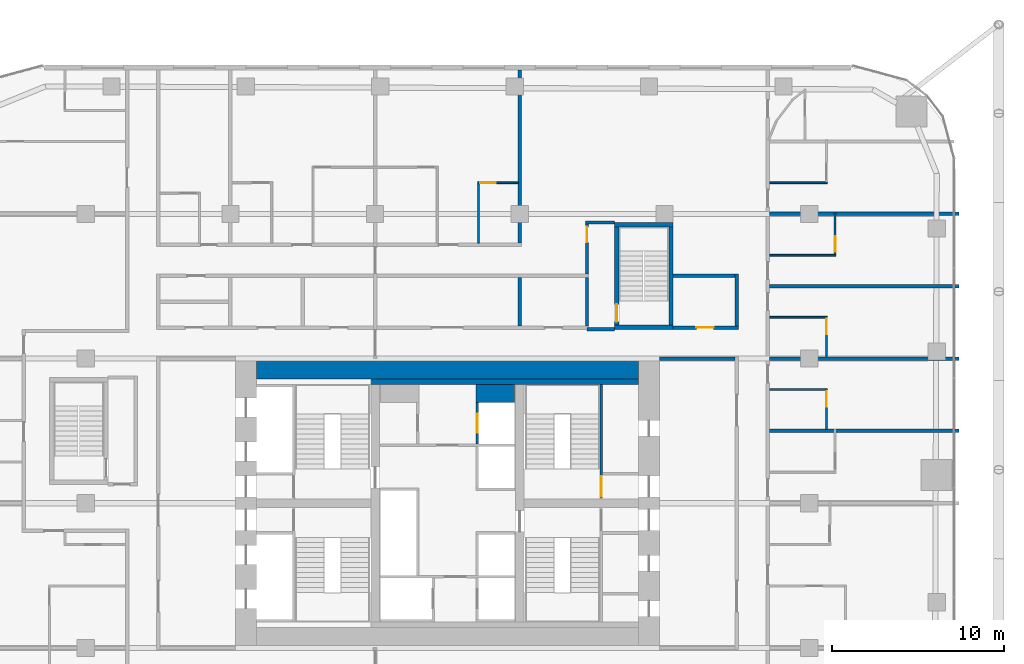
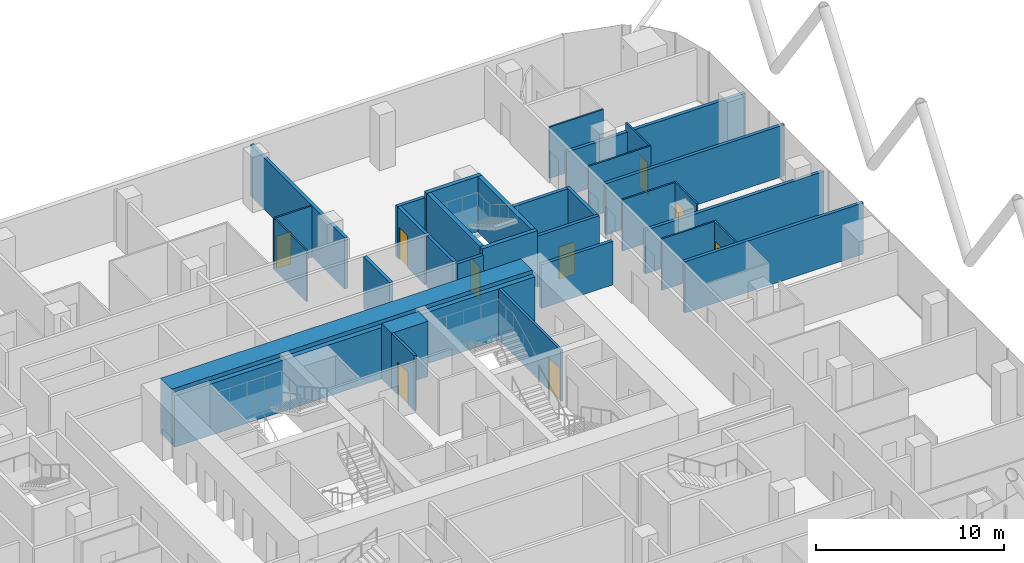
# One storey, part 30 of 34: 32 walls, 9 doors, 9 openings.
"""IFC4 building model written with IfcOpenShell, lengths in metres."""

from ifc_helpers import new_model, si_unit, direction, frame, frame_2d, origin, place, context, subcontext, project, spatial, rectangle, extrude, material, layer, layer_set, type_object, element, fill, save


model = new_model("IFC4")

# Units and contexts
model_context = context("Model", 3, precision=1e-05, world=origin(), true_north=direction((0.0, 1.0)))
body_context = subcontext(model_context, "Body", "Model", "MODEL_VIEW")
ifc_project = project(units=[si_unit("LENGTHUNIT", "METRE"), si_unit("AREAUNIT", "SQUARE_METRE"), si_unit("VOLUMEUNIT", "CUBIC_METRE"), si_unit("PLANEANGLEUNIT", "RADIAN"), si_unit("MASSUNIT", "GRAM", prefix="KILO")], contexts=[model_context])

# Site, building, storey
site_placement = place(None, origin())
site = spatial("IfcSite", under=ifc_project, at=site_placement, CompositionType="ELEMENT")
building_placement = place(site_placement, origin())
building = spatial("IfcBuilding", under=site, at=building_placement, Name="Marenta Gate Hotel Tower", CompositionType="ELEMENT")
storey_placement = place(building_placement, frame((0.0, 0.0, 47.300048828125)))
storey = spatial("IfcBuildingStorey", under=building, at=storey_placement, Name="L09", CompositionType="ELEMENT", Elevation=47.300048828125)

# Walls
ifc_material_1 = material(Name="Concrete blockwork", Category="masonry")
ifc_layer_1 = layer(ifc_material_1, 0.199951171875)
ifc_layer_set_1 = layer_set([ifc_layer_1], Name="Concrete blockwork")
wall_type_1 = type_object("IfcWallType", Name="Core boundary wall 200 REI 180", PredefinedType="PARTITIONING", material=ifc_layer_set_1)
wall_1_placement = place(storey_placement, frame((12.300048828125, 16.800048828125, 0.0), z_axis=(0.0, 0.0, 1.0), x_axis=(1.0, 0.0, 0.0)))
element("IfcWall", 1, at=wall_1_placement, inside=storey, type_object=wall_type_1, Name="L09-CP-EW-EN", PredefinedType="PARTITIONING", context=body_context, shape_type="SweptSolid", body=[
    extrude(rectangle(XDim=4.39990234375, YDim=0.199951171875, at=frame_2d((2.199951171875, 0.0))), origin(), (0.0, 0.0, 1.0), 2.83984375),
])
ifc_material_2 = material(Name="Concrete C40", Category="concrete")
ifc_layer_2 = layer(ifc_material_2, 0.300048828125)
ifc_layer_set_2 = layer_set([ifc_layer_2], Name="Concrete C40")
wall_type_2 = type_object("IfcWallType", Name="Core lining wall 300 REI 180", PredefinedType="PARTITIONING", material=ifc_layer_set_2)
wall_2_placement = place(storey_placement, frame((-11.10009765625, 15.449951171875, 0.0), z_axis=(0.0, 0.0, 1.0), x_axis=(1.0, 0.0, 0.0)))
element("IfcWall", 2, at=wall_2_placement, inside=storey, type_object=wall_type_2, Name="L09-CP-LN-N", PredefinedType="PARTITIONING", context=body_context, shape_type="SweptSolid", body=[
    extrude(rectangle(XDim=22.2001953125, YDim=0.300048828125, at=frame_2d((11.10009765625, 0.0))), origin(), (0.0, 0.0, 1.0), 3.33984375),
])
ifc_material_3 = material(Name="Concrete C40", Category="concrete")
ifc_layer_3 = layer(ifc_material_3, 1.050048828125)
ifc_layer_set_3 = layer_set([ifc_layer_3], Name="Concrete C40")
wall_type_3 = type_object("IfcWallType", Name="Core shaft wall 1050 REI 180", PredefinedType="SHEAR", material=ifc_layer_set_3)
wall_3_placement = place(storey_placement, frame((1.64990234375, 14.77490234375, 0.0), z_axis=(0.0, 0.0, 1.0), x_axis=(1.0, 0.0, 0.0)))
element("IfcWall", 3, at=wall_3_placement, inside=storey, type_object=wall_type_3, Name="L09-SHF-CE-N-top", PredefinedType="SHEAR", context=body_context, shape_type="SweptSolid", body=[
    extrude(rectangle(XDim=2.25, YDim=1.050048828125, at=frame_2d((1.125, 0.0))), origin(), (0.0, 0.0, 1.0), 3.599853515625),
])

# Wall, opening, door
ifc_material_4 = material(Name="Concrete C40", Category="concrete")
ifc_layer_4 = layer(ifc_material_4, 0.14990234375)
ifc_layer_set_4 = layer_set([ifc_layer_4], Name="Concrete C40")
wall_type_4 = type_object("IfcWallType", Name="Core shaft wall 150 REI 180", PredefinedType="SHEAR", material=ifc_layer_set_4)
wall_4_placement = place(storey_placement, frame((1.72509765625, 11.85009765625, 0.0), z_axis=(0.0, 0.0, 1.0), x_axis=(0.0, 1.0, 0.0)))
wall_4 = element("IfcWall", 4, at=wall_4_placement, inside=storey, type_object=wall_type_4, Name="L09-SHF-CE-N-front2", PredefinedType="SHEAR", context=body_context, shape_type="SweptSolid", body=[
    extrude(rectangle(XDim=2.39990234375, YDim=0.14990234375, at=frame_2d((1.199951171875, 0.0))), origin(), (0.0, 0.0, 1.0), 3.599853515625),
])
opening_1_placement = place(wall_4_placement, frame((0.64990234375, 0.0, 0.0)))
opening_1 = element("IfcOpeningElement", 5, at=opening_1_placement, cuts=wall_4, Name="Opening LD-FF2", PredefinedType="OPENING", context=body_context, shape_type="SweptSolid", body=[
    extrude(rectangle(XDim=1.10009765625, YDim=2.10009765625, at=frame_2d((0.550048828125, 1.050048828125))), frame((0.0, 0.074951171875, 0.0), z_axis=(0.0, -1.0, 0.0), x_axis=(1.0, 0.0, 0.0)), (0.0, 0.0, 1.0), 0.14990234375),
])
ifc_material_5 = material(Name="Steel", Category="steel")
door_type_1 = type_object("IfcDoorType", Name="Core lift landing door 1100x2100 E 60", OperationType="SLIDING_TO_LEFT", PredefinedType="DOOR", material=ifc_material_5)
door_1_placement = place(opening_1_placement, origin())
door_1 = element("IfcDoor", 6, at=door_1_placement, inside=storey, type_object=door_type_1, Name="LD-FF2", OperationType="SLIDING_TO_LEFT", OverallHeight=2.10009765625, OverallWidth=1.10009765625, PredefinedType="DOOR", context=body_context, shape_type="SweptSolid", body=[
    extrude(rectangle(XDim=1.10009765625, YDim=2.10009765625, at=frame_2d((0.550048828125, 1.050048828125))), frame((0.0, 0.02490234375, 0.0), z_axis=(0.0, -1.0, 0.0), x_axis=(1.0, 0.0, 0.0)), (0.0, 0.0, 1.0), 0.050048828125),
])
fill(opening_1, door_1)

ifc_material_6 = material(Name="Concrete C40", Category="concrete")
ifc_layer_5 = layer(ifc_material_6, 0.14990234375)
ifc_layer_set_5 = layer_set([ifc_layer_5], Name="Concrete C40")
wall_type_5 = type_object("IfcWallType", Name="Core stair enclosure wall 150 REI 180", PredefinedType="SHEAR", material=ifc_layer_set_5)
wall_5_placement = place(storey_placement, frame((8.925048828125, 8.699951171875, 0.0), z_axis=(0.0, 0.0, 1.0), x_axis=(0.0, 1.0, 0.0)))
wall_5 = element("IfcWall", 7, at=wall_5_placement, inside=storey, type_object=wall_type_5, Name="L09-SHF-SW-EN-3", PredefinedType="SHEAR", context=body_context, shape_type="SweptSolid", body=[
    extrude(rectangle(XDim=6.60009765625, YDim=0.14990234375, at=frame_2d((3.300048828125, 0.0))), origin(), (0.0, 0.0, 1.0), 3.33984375),
])
opening_2_placement = place(wall_5_placement, frame((0.074951171875, 0.0, 0.0)))
opening_2 = element("IfcOpeningElement", 8, at=opening_2_placement, cuts=wall_5, Name="Opening SD-EN", PredefinedType="OPENING", context=body_context, shape_type="SweptSolid", body=[
    extrude(rectangle(XDim=1.199951171875, YDim=2.10009765625, at=frame_2d((0.60009765625, 1.050048828125))), frame((0.0, 0.074951171875, 0.0), z_axis=(0.0, -1.0, 0.0), x_axis=(1.0, 0.0, 0.0)), (0.0, 0.0, 1.0), 0.14990234375),
])
ifc_material_7 = material(Name="Steel", Category="steel")
door_type_2 = type_object("IfcDoorType", Name="Core stair door 1200x2100 FD60", OperationType="SINGLE_SWING_LEFT", PredefinedType="DOOR", material=ifc_material_7)
door_2_placement = place(opening_2_placement, origin())
door_2 = element("IfcDoor", 9, at=door_2_placement, inside=storey, type_object=door_type_2, Name="SD-EN", OperationType="SINGLE_SWING_LEFT", OverallHeight=2.10009765625, OverallWidth=1.199951171875, PredefinedType="DOOR", context=body_context, shape_type="SweptSolid", body=[
    extrude(rectangle(XDim=1.199951171875, YDim=2.10009765625, at=frame_2d((0.60009765625, 1.050048828125))), frame((0.0, 0.02490234375, 0.0), z_axis=(0.0, -1.0, 0.0), x_axis=(1.0, 0.0, 0.0)), (0.0, 0.0, 1.0), 0.050048828125),
])
fill(opening_2, door_2)

# Walls
ifc_material_8 = material(Name="Concrete C80", Category="concrete")
ifc_layer_6 = layer(ifc_material_8, 1.199951171875)
ifc_layer_set_6 = layer_set([ifc_layer_6], Name="Concrete C80")
wall_type_6 = type_object("IfcWallType", Name="Core wall 1200 C80", PredefinedType="SHEAR", material=ifc_layer_set_6)
wall_6_placement = place(storey_placement, frame((-11.10009765625, 16.199951171875, 0.0), z_axis=(0.0, 0.0, 1.0), x_axis=(1.0, 0.0, 0.0)))
element("IfcWall", 10, at=wall_6_placement, inside=storey, type_object=wall_type_6, Name="L09-CORE-N", PredefinedType="SHEAR", context=body_context, shape_type="SweptSolid", body=[
    extrude(rectangle(XDim=22.2001953125, YDim=1.199951171875, at=frame_2d((11.10009765625, 0.0))), origin(), (0.0, 0.0, 1.0), 3.599853515625),
])
ifc_material_9 = material(Name="Concrete C40", Category="concrete")
ifc_layer_7 = layer(ifc_material_9, 0.25)
ifc_layer_set_7 = layer_set([ifc_layer_7], Name="Concrete C40")
wall_type_7 = type_object("IfcWallType", Name="Remote stair enclosure wall 250 REI 180", PredefinedType="SHEAR", material=ifc_layer_set_7)
for number, where, z_axis, x_axis, name in (
    (11, (9.699951171875, 18.625, 0.099853515625), (0.0, 0.0, 1.0), (1.0, 0.0, 0.0), "L09-RS-Z1-4-W1"),
    (12, (9.699951171875, 24.574951171875, 0.099853515625), (0.0, 0.0, 1.0), (1.0, 0.0, 0.0), "L09-RS-Z1-4-W2"),
):
    element("IfcWall", number, at=place(storey_placement, frame(where, z_axis=z_axis, x_axis=x_axis)), inside=storey, type_object=wall_type_7, Name=name, PredefinedType="SHEAR", context=body_context, shape_type="SweptSolid", body=[
        extrude(rectangle(XDim=3.400146484375, YDim=0.25, at=frame_2d((1.7001953125, 0.0))), origin(), (0.0, 0.0, 1.0), 3.60009765625),
    ])

# Wall, opening, door
wall_7_placement = place(storey_placement, frame((9.824951171875, 18.75, 0.099853515625), z_axis=(0.0, 0.0, 1.0), x_axis=(0.0, 1.0, 0.0)))
wall_7 = element("IfcWall", 13, at=wall_7_placement, inside=storey, type_object=wall_type_7, Name="L09-RS-Z1-4-W3", PredefinedType="SHEAR", context=body_context, shape_type="SweptSolid", body=[
    extrude(rectangle(XDim=5.699951171875, YDim=0.25, at=frame_2d((2.85009765625, 0.0))), origin(), (0.0, 0.0, 1.0), 3.60009765625),
])
opening_3_placement = place(wall_7_placement, frame((0.199951171875, 0.0, 0.0)))
opening_3 = element("IfcOpeningElement", 14, at=opening_3_placement, cuts=wall_7, Name="Opening VD", PredefinedType="OPENING", context=body_context, shape_type="SweptSolid", body=[
    extrude(rectangle(XDim=1.0, YDim=2.10009765625, at=frame_2d((0.5, 1.050048828125))), frame((0.0, 0.125, 0.0), z_axis=(0.0, -1.0, 0.0), x_axis=(1.0, 0.0, 0.0)), (0.0, 0.0, 1.0), 0.25),
])
ifc_material_10 = material(Name="Steel", Category="steel")
door_type_3 = type_object("IfcDoorType", Name="Stair vestibule door 1000x2100 FD60", OperationType="SINGLE_SWING_LEFT", PredefinedType="DOOR", material=ifc_material_10)
door_3_placement = place(opening_3_placement, origin())
door_3 = element("IfcDoor", 15, at=door_3_placement, inside=storey, type_object=door_type_3, Name="VD", OperationType="SINGLE_SWING_LEFT", OverallHeight=2.10009765625, OverallWidth=1.0, PredefinedType="DOOR", context=body_context, shape_type="SweptSolid", body=[
    extrude(rectangle(XDim=1.0, YDim=2.10009765625, at=frame_2d((0.5, 1.050048828125))), frame((0.0, 0.02490234375, 0.0), z_axis=(0.0, -1.0, 0.0), x_axis=(1.0, 0.0, 0.0)), (0.0, 0.0, 1.0), 0.050048828125),
])
fill(opening_3, door_3)

# Walls
wall_8_placement = place(storey_placement, frame((12.97509765625, 18.75, 0.099853515625), z_axis=(0.0, 0.0, 1.0), x_axis=(0.0, 1.0, 0.0)))
element("IfcWall", 16, at=wall_8_placement, inside=storey, type_object=wall_type_7, Name="L09-RS-Z1-4-W4", PredefinedType="SHEAR", context=body_context, shape_type="SweptSolid", body=[
    extrude(rectangle(XDim=5.699951171875, YDim=0.25, at=frame_2d((2.85009765625, 0.0))), origin(), (0.0, 0.0, 1.0), 3.60009765625),
])
ifc_material_11 = material(Name="Gypsum board on steel stud", Category="steel")
ifc_layer_8 = layer(ifc_material_11, 0.199951171875)
ifc_layer_set_8 = layer_set([ifc_layer_8], Name="Gypsum board on steel stud")
wall_type_8 = type_object("IfcWallType", Name="Room corridor wall 200 EI 60", PredefinedType="PARTITIONING", material=ifc_layer_set_8)
wall_9_placement = place(storey_placement, frame((16.800048828125, 18.699951171875, 0.0), z_axis=(0.0, 0.0, 1.0), x_axis=(0.0, 1.0, 0.0)))
element("IfcWall", 17, at=wall_9_placement, inside=storey, type_object=wall_type_8, Name="L09-PTN-W014", PredefinedType="PARTITIONING", context=body_context, shape_type="SweptSolid", body=[
    extrude(rectangle(XDim=3.0, YDim=0.199951171875, at=frame_2d((1.5, 0.0))), origin(), (0.0, 0.0, 1.0), 3.33984375),
])
wall_10_placement = place(storey_placement, frame((4.199951171875, 23.5, 0.0), z_axis=(0.0, 0.0, 1.0), x_axis=(0.0, 1.0, 0.0)))
element("IfcWall", 18, at=wall_10_placement, inside=storey, type_object=wall_type_8, Name="L09-PTN-W050", PredefinedType="PARTITIONING", context=body_context, shape_type="SweptSolid", body=[
    extrude(rectangle(XDim=10.0400390625, YDim=0.199951171875, at=frame_2d((5.02001953125, 0.0))), origin(), (0.0, 0.0, 1.0), 3.33984375),
])

# Wall, opening, door
wall_11_placement = place(storey_placement, frame((13.10009765625, 18.60009765625, 0.0), z_axis=(0.0, 0.0, 1.0), x_axis=(1.0, 0.0, 0.0)))
wall_11 = element("IfcWall", 19, at=wall_11_placement, inside=storey, type_object=wall_type_8, Name="L09-PTN-W111", PredefinedType="PARTITIONING", context=body_context, shape_type="SweptSolid", body=[
    extrude(rectangle(XDim=3.7998046875, YDim=0.199951171875, at=frame_2d((1.89990234375, 0.0))), origin(), (0.0, 0.0, 1.0), 3.33984375),
])
opening_4_placement = place(wall_11_placement, frame((1.35009765625, 0.0, 0.0)))
opening_4 = element("IfcOpeningElement", 20, at=opening_4_placement, cuts=wall_11, Name="Opening G03-03", PredefinedType="OPENING", context=body_context, shape_type="SweptSolid", body=[
    extrude(rectangle(XDim=1.0, YDim=2.10009765625, at=frame_2d((0.5, 1.050048828125))), frame((0.0, 0.10009765625, 0.0), z_axis=(0.0, -1.0, 0.0), x_axis=(1.0, 0.0, 0.0)), (0.0, 0.0, 1.0), 0.199951171875),
])
ifc_material_12 = material(Name="Timber door leaf", Category="wood")
door_type_4 = type_object("IfcDoorType", Name="Room amenity door 1000x2100 EI 30", OperationType="NOTDEFINED", PredefinedType="DOOR", material=ifc_material_12)
door_4_placement = place(opening_4_placement, origin())
door_4 = element("IfcDoor", 21, at=door_4_placement, inside=storey, type_object=door_type_4, Name="L09-PD-D003", OperationType="SINGLE_SWING_LEFT", OverallHeight=2.10009765625, OverallWidth=1.0, PredefinedType="DOOR", context=body_context, shape_type="SweptSolid", body=[
    extrude(rectangle(XDim=1.0, YDim=2.10009765625, at=frame_2d((0.5, 1.050048828125))), frame((0.0, 0.02490234375, 0.0), z_axis=(0.0, -1.0, 0.0), x_axis=(1.0, 0.0, 0.0)), (0.0, 0.0, 1.0), 0.050048828125),
])
fill(opening_4, door_4)

# Wall
wall_12_placement = place(storey_placement, frame((13.10009765625, 21.60009765625, 0.0), z_axis=(0.0, 0.0, 1.0), x_axis=(1.0, 0.0, 0.0)))
element("IfcWall", 22, at=wall_12_placement, inside=storey, type_object=wall_type_8, Name="L09-PTN-W116", PredefinedType="PARTITIONING", context=body_context, shape_type="SweptSolid", body=[
    extrude(rectangle(XDim=3.599853515625, YDim=0.199951171875, at=frame_2d((1.7998046875, 0.0))), origin(), (0.0, 0.0, 1.0), 3.33984375),
])

# Wall, opening, door
ifc_material_13 = material(Name="Concrete blockwork", Category="masonry")
ifc_layer_9 = layer(ifc_material_13, 0.199951171875)
ifc_layer_set_9 = layer_set([ifc_layer_9], Name="Concrete blockwork")
wall_type_9 = type_object("IfcWallType", Name="Room corridor wall 200 REI 180", PredefinedType="PARTITIONING", material=ifc_layer_set_9)
wall_13_placement = place(storey_placement, frame((8.10009765625, 21.699951171875, 0.0), z_axis=(0.0, 0.0, 1.0), x_axis=(0.0, 1.0, 0.0)))
wall_13 = element("IfcWall", 23, at=wall_13_placement, inside=storey, type_object=wall_type_9, Name="L09-PTN-W038", PredefinedType="PARTITIONING", context=body_context, shape_type="SweptSolid", body=[
    extrude(rectangle(XDim=2.900146484375, YDim=0.199951171875, at=frame_2d((1.4501953125, 0.0))), origin(), (0.0, 0.0, 1.0), 3.33984375),
])
opening_5_placement = place(wall_13_placement, frame((1.85009765625, 0.0, 0.0)))
opening_5 = element("IfcOpeningElement", 24, at=opening_5_placement, cuts=wall_13, Name="Opening G03-61", PredefinedType="OPENING", context=body_context, shape_type="SweptSolid", body=[
    extrude(rectangle(XDim=0.89990234375, YDim=2.10009765625, at=frame_2d((0.449951171875, 1.050048828125))), frame((0.0, 0.10009765625, 0.0), z_axis=(0.0, -1.0, 0.0), x_axis=(1.0, 0.0, 0.0)), (0.0, 0.0, 1.0), 0.199951171875),
])
ifc_material_14 = material(Name="Hollow steel door set", Category="steel")
door_type_5 = type_object("IfcDoorType", Name="Stair vestibule door 900x2100 EI 60", OperationType="NOTDEFINED", PredefinedType="DOOR", material=ifc_material_14)
door_5_placement = place(opening_5_placement, origin())
door_5 = element("IfcDoor", 25, at=door_5_placement, inside=storey, type_object=door_type_5, Name="L09-PD-D061", OperationType="SINGLE_SWING_LEFT", OverallHeight=2.10009765625, OverallWidth=0.89990234375, PredefinedType="DOOR", context=body_context, shape_type="SweptSolid", body=[
    extrude(rectangle(XDim=0.89990234375, YDim=2.10009765625, at=frame_2d((0.449951171875, 1.050048828125))), frame((0.0, 0.02490234375, 0.0), z_axis=(0.0, -1.0, 0.0), x_axis=(1.0, 0.0, 0.0)), (0.0, 0.0, 1.0), 0.050048828125),
])
fill(opening_5, door_5)

# Walls
wall_14_placement = place(storey_placement, frame((8.10009765625, 18.5, 0.0), z_axis=(0.0, 0.0, 1.0), x_axis=(1.0, 0.0, 0.0)))
element("IfcWall", 26, at=wall_14_placement, inside=storey, type_object=wall_type_9, Name="L09-PTN-W107", PredefinedType="PARTITIONING", context=body_context, shape_type="SweptSolid", body=[
    extrude(rectangle(XDim=1.599853515625, YDim=0.199951171875, at=frame_2d((0.7998046875, 0.0))), origin(), (0.0, 0.0, 1.0), 3.33984375),
])
wall_15_placement = place(storey_placement, frame((8.0, 24.699951171875, 0.0), z_axis=(0.0, 0.0, 1.0), x_axis=(1.0, 0.0, 0.0)))
element("IfcWall", 27, at=wall_15_placement, inside=storey, type_object=wall_type_9, Name="L09-PTN-W124", PredefinedType="PARTITIONING", context=body_context, shape_type="SweptSolid", body=[
    extrude(rectangle(XDim=1.699951171875, YDim=0.199951171875, at=frame_2d((0.85009765625, 0.0))), origin(), (0.0, 0.0, 1.0), 3.33984375),
])

# Wall, opening, door
ifc_material_15 = material(Name="Gypsum board on steel stud", Category="steel")
ifc_layer_10 = layer(ifc_material_15, 0.10009765625)
ifc_layer_set_10 = layer_set([ifc_layer_10], Name="Gypsum board on steel stud")
wall_type_10 = type_object("IfcWallType", Name="Room partition 100", PredefinedType="PARTITIONING", material=ifc_layer_set_10)
wall_16_placement = place(storey_placement, frame((22.5, 22.85009765625, 0.0), z_axis=(0.0, 0.0, 1.0), x_axis=(0.0, 1.0, 0.0)))
wall_16 = element("IfcWall", 28, at=wall_16_placement, inside=storey, type_object=wall_type_10, Name="L09-PTN-W003", PredefinedType="PARTITIONING", context=body_context, shape_type="SweptSolid", body=[
    extrude(rectangle(XDim=2.449951171875, YDim=0.10009765625, at=frame_2d((1.22509765625, 0.0))), origin(), (0.0, 0.0, 1.0), 3.33984375),
])
opening_6_placement = place(wall_16_placement, frame((0.14990234375, 0.0, 0.0)))
opening_6 = element("IfcOpeningElement", 29, at=opening_6_placement, cuts=wall_16, Name="Opening G03-23", PredefinedType="OPENING", context=body_context, shape_type="SweptSolid", body=[
    extrude(rectangle(XDim=0.89990234375, YDim=2.10009765625, at=frame_2d((0.449951171875, 1.050048828125))), frame((0.0, 0.050048828125, 0.0), z_axis=(0.0, -1.0, 0.0), x_axis=(1.0, 0.0, 0.0)), (0.0, 0.0, 1.0), 0.10009765625),
])
ifc_material_16 = material(Name="Timber door leaf", Category="wood")
door_type_6 = type_object("IfcDoorType", Name="Guest bathroom door 900x2100", OperationType="NOTDEFINED", PredefinedType="DOOR", material=ifc_material_16)
door_6_placement = place(opening_6_placement, origin())
door_6 = element("IfcDoor", 30, at=door_6_placement, inside=storey, type_object=door_type_6, Name="L09-PD-D023", OperationType="SINGLE_SWING_LEFT", OverallHeight=2.10009765625, OverallWidth=0.89990234375, PredefinedType="DOOR", context=body_context, shape_type="SweptSolid", body=[
    extrude(rectangle(XDim=0.89990234375, YDim=2.10009765625, at=frame_2d((0.449951171875, 1.050048828125))), frame((0.0, 0.02490234375, 0.0), z_axis=(0.0, -1.0, 0.0), x_axis=(1.0, 0.0, 0.0)), (0.0, 0.0, 1.0), 0.050048828125),
])
fill(opening_6, door_6)

wall_17_placement = place(storey_placement, frame((22.0, 12.699951171875, 0.0), z_axis=(0.0, 0.0, 1.0), x_axis=(0.0, 1.0, 0.0)))
wall_17 = element("IfcWall", 31, at=wall_17_placement, inside=storey, type_object=wall_type_10, Name="L09-PTN-W007", PredefinedType="PARTITIONING", context=body_context, shape_type="SweptSolid", body=[
    extrude(rectangle(XDim=2.35009765625, YDim=0.10009765625, at=frame_2d((1.175048828125, 0.0))), origin(), (0.0, 0.0, 1.0), 3.33984375),
])
opening_7_placement = place(wall_17_placement, frame((1.300048828125, 0.0, 0.0)))
opening_7 = element("IfcOpeningElement", 32, at=opening_7_placement, cuts=wall_17, Name="Opening G03-19", PredefinedType="OPENING", context=body_context, shape_type="SweptSolid", body=[
    extrude(rectangle(XDim=0.89990234375, YDim=2.10009765625, at=frame_2d((0.449951171875, 1.050048828125))), frame((0.0, 0.050048828125, 0.0), z_axis=(0.0, -1.0, 0.0), x_axis=(1.0, 0.0, 0.0)), (0.0, 0.0, 1.0), 0.10009765625),
])
door_7_placement = place(opening_7_placement, origin())
door_7 = element("IfcDoor", 33, at=door_7_placement, inside=storey, type_object=door_type_6, Name="L09-PD-D019", OperationType="SINGLE_SWING_RIGHT", OverallHeight=2.10009765625, OverallWidth=0.89990234375, PredefinedType="DOOR", context=body_context, shape_type="SweptSolid", body=[
    extrude(rectangle(XDim=0.89990234375, YDim=2.10009765625, at=frame_2d((0.449951171875, 1.050048828125))), frame((0.0, 0.02490234375, 0.0), z_axis=(0.0, -1.0, 0.0), x_axis=(1.0, 0.0, 0.0)), (0.0, 0.0, 1.0), 0.050048828125),
])
fill(opening_7, door_7)

wall_18_placement = place(storey_placement, frame((22.0, 16.89990234375, 0.0), z_axis=(0.0, 0.0, 1.0), x_axis=(0.0, 1.0, 0.0)))
wall_18 = element("IfcWall", 34, at=wall_18_placement, inside=storey, type_object=wall_type_10, Name="L09-PTN-W008", PredefinedType="PARTITIONING", context=body_context, shape_type="SweptSolid", body=[
    extrude(rectangle(XDim=2.35009765625, YDim=0.10009765625, at=frame_2d((1.175048828125, 0.0))), origin(), (0.0, 0.0, 1.0), 3.33984375),
])
opening_8_placement = place(wall_18_placement, frame((1.300048828125, 0.0, 0.0)))
opening_8 = element("IfcOpeningElement", 35, at=opening_8_placement, cuts=wall_18, Name="Opening G03-21", PredefinedType="OPENING", context=body_context, shape_type="SweptSolid", body=[
    extrude(rectangle(XDim=0.89990234375, YDim=2.10009765625, at=frame_2d((0.449951171875, 1.050048828125))), frame((0.0, 0.050048828125, 0.0), z_axis=(0.0, -1.0, 0.0), x_axis=(1.0, 0.0, 0.0)), (0.0, 0.0, 1.0), 0.10009765625),
])
door_8_placement = place(opening_8_placement, origin())
door_8 = element("IfcDoor", 36, at=door_8_placement, inside=storey, type_object=door_type_6, Name="L09-PD-D021", OperationType="SINGLE_SWING_RIGHT", OverallHeight=2.10009765625, OverallWidth=0.89990234375, PredefinedType="DOOR", context=body_context, shape_type="SweptSolid", body=[
    extrude(rectangle(XDim=0.89990234375, YDim=2.10009765625, at=frame_2d((0.449951171875, 1.050048828125))), frame((0.0, 0.02490234375, 0.0), z_axis=(0.0, -1.0, 0.0), x_axis=(1.0, 0.0, 0.0)), (0.0, 0.0, 1.0), 0.050048828125),
])
fill(opening_8, door_8)

# Walls
wall_19_placement = place(storey_placement, frame((1.800048828125, 23.5, 0.0), z_axis=(0.0, 0.0, 1.0), x_axis=(0.0, 1.0, 0.0)))
element("IfcWall", 37, at=wall_19_placement, inside=storey, type_object=wall_type_10, Name="L09-PTN-W056", PredefinedType="PARTITIONING", context=body_context, shape_type="SweptSolid", body=[
    extrude(rectangle(XDim=3.449951171875, YDim=0.10009765625, at=frame_2d((1.72509765625, 0.0))), origin(), (0.0, 0.0, 1.0), 3.33984375),
])
for number, where, z_axis, x_axis, name in (
    (38, (18.699951171875, 15.0, 0.0), (0.0, 0.0, 1.0), (1.0, 0.0, 0.0), "L09-PTN-W095"),
    (39, (18.699951171875, 19.199951171875, 0.0), (0.0, 0.0, 1.0), (1.0, 0.0, 0.0), "L09-PTN-W112"),
):
    element("IfcWall", number, at=place(storey_placement, frame(where, z_axis=z_axis, x_axis=x_axis)), inside=storey, type_object=wall_type_10, Name=name, PredefinedType="PARTITIONING", context=body_context, shape_type="SweptSolid", body=[
        extrude(rectangle(XDim=3.25, YDim=0.10009765625, at=frame_2d((1.625, 0.0))), origin(), (0.0, 0.0, 1.0), 3.33984375),
    ])
wall_20_placement = place(storey_placement, frame((18.699951171875, 22.800048828125, 0.0), z_axis=(0.0, 0.0, 1.0), x_axis=(1.0, 0.0, 0.0)))
element("IfcWall", 40, at=wall_20_placement, inside=storey, type_object=wall_type_10, Name="L09-PTN-W120", PredefinedType="PARTITIONING", context=body_context, shape_type="SweptSolid", body=[
    extrude(rectangle(XDim=3.85009765625, YDim=0.10009765625, at=frame_2d((1.925048828125, 0.0))), origin(), (0.0, 0.0, 1.0), 3.33984375),
])

# Wall, opening, door
wall_21_placement = place(storey_placement, frame((1.75, 27.0, 0.0), z_axis=(0.0, 0.0, 1.0), x_axis=(1.0, 0.0, 0.0)))
wall_21 = element("IfcWall", 41, at=wall_21_placement, inside=storey, type_object=wall_type_10, Name="L09-PTN-W129", PredefinedType="PARTITIONING", context=body_context, shape_type="SweptSolid", body=[
    extrude(rectangle(XDim=2.35009765625, YDim=0.10009765625, at=frame_2d((1.175048828125, 0.0))), origin(), (0.0, 0.0, 1.0), 3.33984375),
])
opening_9_placement = place(wall_21_placement, frame((0.14990234375, 0.0, 0.0)))
opening_9 = element("IfcOpeningElement", 42, at=opening_9_placement, cuts=wall_21, Name="Opening G03-35", PredefinedType="OPENING", context=body_context, shape_type="SweptSolid", body=[
    extrude(rectangle(XDim=0.89990234375, YDim=2.10009765625, at=frame_2d((0.449951171875, 1.050048828125))), frame((0.0, 0.050048828125, 0.0), z_axis=(0.0, -1.0, 0.0), x_axis=(1.0, 0.0, 0.0)), (0.0, 0.0, 1.0), 0.10009765625),
])
ifc_material_17 = material(Name="Timber door leaf", Category="wood")
door_type_7 = type_object("IfcDoorType", Name="Room inner door 900x2100", OperationType="NOTDEFINED", PredefinedType="DOOR", material=ifc_material_17)
door_9_placement = place(opening_9_placement, origin())
door_9 = element("IfcDoor", 43, at=door_9_placement, inside=storey, type_object=door_type_7, Name="L09-PD-D035", OperationType="SINGLE_SWING_RIGHT", OverallHeight=2.10009765625, OverallWidth=0.89990234375, PredefinedType="DOOR", context=body_context, shape_type="SweptSolid", body=[
    extrude(rectangle(XDim=0.89990234375, YDim=2.10009765625, at=frame_2d((0.449951171875, 1.050048828125))), frame((0.0, 0.02490234375, 0.0), z_axis=(0.0, -1.0, 0.0), x_axis=(1.0, 0.0, 0.0)), (0.0, 0.0, 1.0), 0.050048828125),
])
fill(opening_9, door_9)

# Walls
wall_22_placement = place(storey_placement, frame((18.699951171875, 27.0, 0.0), z_axis=(0.0, 0.0, 1.0), x_axis=(1.0, 0.0, 0.0)))
element("IfcWall", 44, at=wall_22_placement, inside=storey, type_object=wall_type_10, Name="L09-PTN-W130", PredefinedType="PARTITIONING", context=body_context, shape_type="SweptSolid", body=[
    extrude(rectangle(XDim=3.35009765625, YDim=0.10009765625, at=frame_2d((1.675048828125, 0.0))), origin(), (0.0, 0.0, 1.0), 3.33984375),
])
ifc_material_18 = material(Name="Gypsum board on steel stud", Category="steel")
ifc_layer_11 = layer(ifc_material_18, 0.199951171875)
ifc_layer_set_11 = layer_set([ifc_layer_11], Name="Gypsum board on steel stud")
wall_type_11 = type_object("IfcWallType", Name="Room party wall 200 EI 60", PredefinedType="PARTITIONING", material=ifc_layer_set_11)
wall_23_placement = place(storey_placement, frame((4.199951171875, 18.699951171875, 0.0), z_axis=(0.0, 0.0, 1.0), x_axis=(0.0, 1.0, 0.0)))
element("IfcWall", 45, at=wall_23_placement, inside=storey, type_object=wall_type_11, Name="L09-PTN-W049", PredefinedType="PARTITIONING", context=body_context, shape_type="SweptSolid", body=[
    extrude(rectangle(XDim=2.800048828125, YDim=0.199951171875, at=frame_2d((1.39990234375, 0.0))), origin(), (0.0, 0.0, 1.0), 3.33984375),
])
wall_24_placement = place(storey_placement, frame((18.699951171875, 12.60009765625, 0.0), z_axis=(0.0, 0.0, 1.0), x_axis=(1.0, 0.0, 0.0)))
element("IfcWall", 46, at=wall_24_placement, inside=storey, type_object=wall_type_11, Name="L09-PTN-W091", PredefinedType="PARTITIONING", context=body_context, shape_type="SweptSolid", body=[
    extrude(rectangle(XDim=11.0, YDim=0.199951171875, at=frame_2d((5.5, 0.0))), origin(), (0.0, 0.0, 1.0), 3.33984375),
])
wall_25_placement = place(storey_placement, frame((18.699951171875, 16.800048828125, 0.0), z_axis=(0.0, 0.0, 1.0), x_axis=(1.0, 0.0, 0.0)))
element("IfcWall", 47, at=wall_25_placement, inside=storey, type_object=wall_type_11, Name="L09-PTN-W104", PredefinedType="PARTITIONING", context=body_context, shape_type="SweptSolid", body=[
    extrude(rectangle(XDim=11.0, YDim=0.199951171875, at=frame_2d((5.5, 0.0))), origin(), (0.0, 0.0, 1.0), 2.83984375),
])
wall_26_placement = place(storey_placement, frame((18.699951171875, 21.0, 0.0), z_axis=(0.0, 0.0, 1.0), x_axis=(1.0, 0.0, 0.0)))
element("IfcWall", 48, at=wall_26_placement, inside=storey, type_object=wall_type_11, Name="L09-PTN-W114", PredefinedType="PARTITIONING", context=body_context, shape_type="SweptSolid", body=[
    extrude(rectangle(XDim=11.0, YDim=0.199951171875, at=frame_2d((5.5, 0.0))), origin(), (0.0, 0.0, 1.0), 3.33984375),
])
wall_27_placement = place(storey_placement, frame((18.699951171875, 25.199951171875, 0.0), z_axis=(0.0, 0.0, 1.0), x_axis=(1.0, 0.0, 0.0)))
element("IfcWall", 49, at=wall_27_placement, inside=storey, type_object=wall_type_11, Name="L09-PTN-W126", PredefinedType="PARTITIONING", context=body_context, shape_type="SweptSolid", body=[
    extrude(rectangle(XDim=11.0, YDim=0.199951171875, at=frame_2d((5.5, 0.0))), origin(), (0.0, 0.0, 1.0), 2.83984375),
])
ifc_material_19 = material(Name="Concrete blockwork", Category="masonry")
ifc_layer_12 = layer(ifc_material_19, 0.199951171875)
ifc_layer_set_12 = layer_set([ifc_layer_12], Name="Concrete blockwork")
wall_type_12 = type_object("IfcWallType", Name="Room party wall 200 REI 180", PredefinedType="PARTITIONING", material=ifc_layer_set_12)
wall_28_placement = place(storey_placement, frame((8.10009765625, 18.699951171875, 0.0), z_axis=(0.0, 0.0, 1.0), x_axis=(0.0, 1.0, 0.0)))
element("IfcWall", 50, at=wall_28_placement, inside=storey, type_object=wall_type_12, Name="L09-PTN-W037", PredefinedType="PARTITIONING", context=body_context, shape_type="SweptSolid", body=[
    extrude(rectangle(XDim=2.800048828125, YDim=0.199951171875, at=frame_2d((1.39990234375, 0.0))), origin(), (0.0, 0.0, 1.0), 3.33984375),
])

save(model, "model.ifc")
